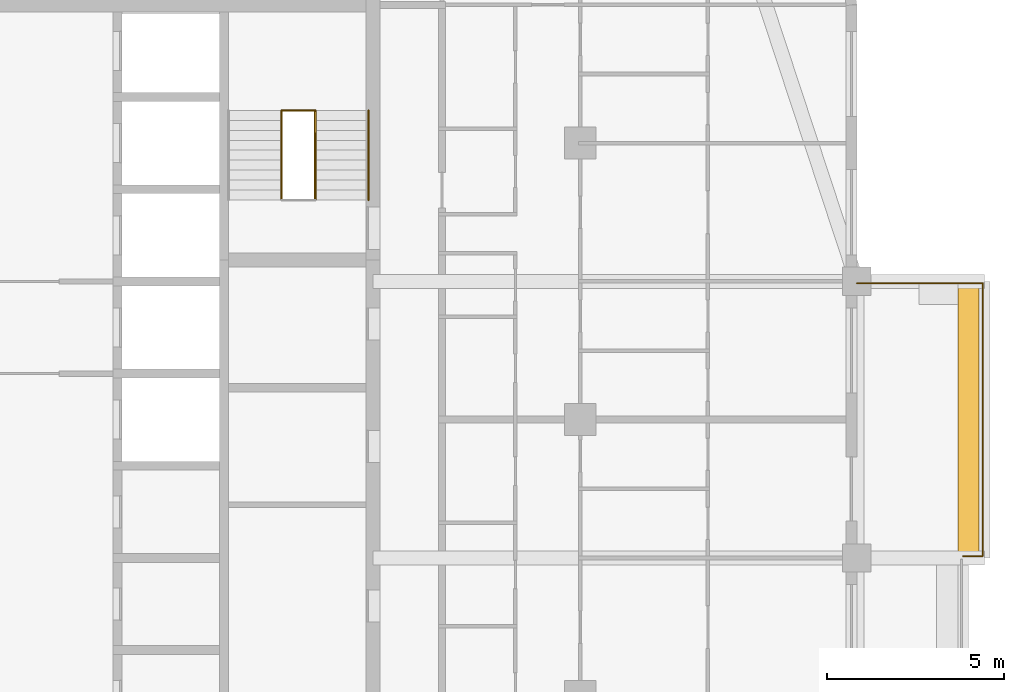
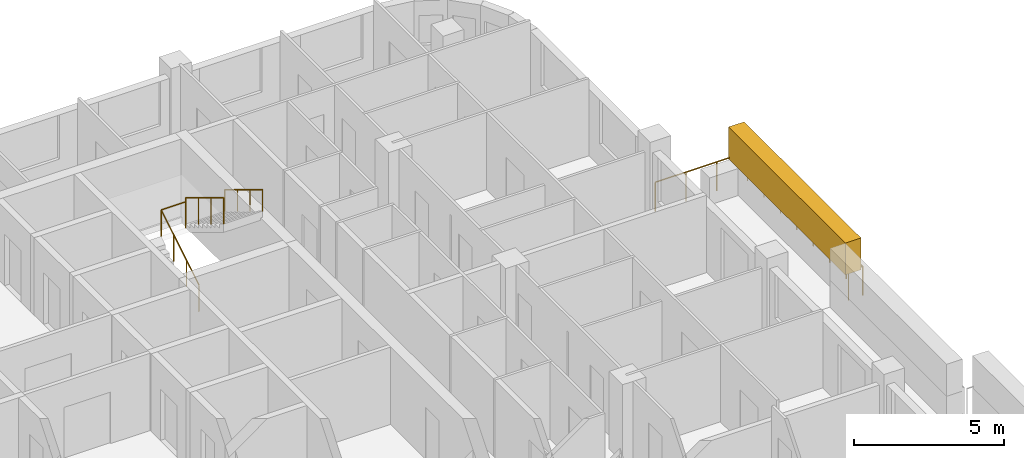
# One storey, part 16 of 17: 5 railings, 1 covering, 1 element without a shape of its own.
"""IFC4 building model written with IfcOpenShell, lengths in metres."""

from ifc_helpers import new_model, si_unit, direction, frame, origin, origin_2d, place, context, subcontext, project, spatial, rectangle, circle, extrude, material, layer, layer_set, type_object, element, aggregate, save


model = new_model("IFC4")

# Units and contexts
model_context = context("Model", 3, precision=1e-05, world=origin(), true_north=direction((0.0, 1.0)))
body_context = subcontext(model_context, "Body", "Model", "MODEL_VIEW")
ifc_project = project(units=[si_unit("LENGTHUNIT", "METRE"), si_unit("AREAUNIT", "SQUARE_METRE"), si_unit("VOLUMEUNIT", "CUBIC_METRE"), si_unit("PLANEANGLEUNIT", "RADIAN"), si_unit("MASSUNIT", "GRAM", prefix="KILO")], contexts=[model_context])

# Site, building, storey
site_placement = place(None, origin())
site = spatial("IfcSite", under=ifc_project, at=site_placement, CompositionType="ELEMENT")
building_placement = place(site_placement, origin())
building = spatial("IfcBuilding", under=site, at=building_placement, Name="Ludao Terraces", CompositionType="ELEMENT")
storey_placement = place(building_placement, frame((0.0, 0.0, 210.89990234375)))
storey = spatial("IfcBuildingStorey", under=building, at=storey_placement, Name="L57", CompositionType="ELEMENT", Elevation=210.89990234375)

# Railing
ifc_material_1 = material(Name="Stainless steel 304", Category="steel")
railing_type_1 = type_object("IfcRailingType", Name="ENV Balcony glass guard 1200", PredefinedType="GUARDRAIL", material=ifc_material_1)
railing_1_placement = place(storey_placement, frame((111.39990234375, 68.949951171875, 0.0)))
element("IfcRailing", 1, at=railing_1_placement, inside=storey, type_object=railing_type_1, Name="Balcony guard L57 E3", PredefinedType="GUARDRAIL", context=body_context, shape_type="SweptSolid", body=[
    extrude(circle(Radius=0.02392578125, at=origin_2d()), frame((0.0, 0.0, 1.17578125), z_axis=(1.0, 0.0, 0.0), x_axis=(0.0, 1.0, 0.0)), (0.0, 0.0, 1.0), 0.550048828125),
    extrude(circle(Radius=0.02392578125, at=origin_2d()), frame((0.550048828125, 0.0, 1.17578125), z_axis=(0.0, 1.0, 0.0), x_axis=(-1.0, 0.0, 0.0)), (0.0, 0.0, 1.0), 7.699951171875),
    extrude(circle(Radius=0.02392578125, at=origin_2d()), frame((0.550048828125, 7.699951171875, 1.17578125), z_axis=(-1.0, 0.0, 0.0), x_axis=(0.0, -1.0, 0.0)), (0.0, 0.0, 1.0), 3.550048828125),
    extrude(circle(Radius=0.02099609375, at=origin_2d()), origin(), (0.0, 0.0, 1.0), 1.15185546875),
    extrude(circle(Radius=0.02099609375, at=origin_2d()), frame((0.550048828125, 0.0, 0.0)), (0.0, 0.0, 1.0), 1.15185546875),
    extrude(circle(Radius=0.02099609375, at=origin_2d()), frame((0.550048828125, 1.10009765625, 0.0)), (0.0, 0.0, 1.0), 1.15185546875),
    extrude(circle(Radius=0.02099609375, at=origin_2d()), frame((0.550048828125, 2.199951171875, 0.0)), (0.0, 0.0, 1.0), 1.15185546875),
    extrude(circle(Radius=0.02099609375, at=origin_2d()), frame((0.550048828125, 3.300048828125, 0.0)), (0.0, 0.0, 1.0), 1.15185546875),
    extrude(circle(Radius=0.02099609375, at=origin_2d()), frame((0.550048828125, 4.39990234375, 0.0)), (0.0, 0.0, 1.0), 1.15185546875),
    extrude(circle(Radius=0.02099609375, at=origin_2d()), frame((0.550048828125, 5.5, 0.0)), (0.0, 0.0, 1.0), 1.15185546875),
    extrude(circle(Radius=0.02099609375, at=origin_2d()), frame((0.550048828125, 6.599853515625, 0.0)), (0.0, 0.0, 1.0), 1.15185546875),
    extrude(circle(Radius=0.02099609375, at=origin_2d()), frame((0.550048828125, 7.699951171875, 0.0)), (0.0, 0.0, 1.0), 1.15185546875),
    extrude(circle(Radius=0.02099609375, at=origin_2d()), frame((-0.63330078125, 7.699951171875, 0.0)), (0.0, 0.0, 1.0), 1.15185546875),
    extrude(circle(Radius=0.02099609375, at=origin_2d()), frame((-1.816650390625, 7.699951171875, 0.0)), (0.0, 0.0, 1.0), 1.15185546875),
    extrude(circle(Radius=0.02099609375, at=origin_2d()), frame((-3.0, 7.699951171875, 0.0)), (0.0, 0.0, 1.0), 1.15185546875),
])

# Covering
ifc_material_2 = material(Name="Planting")
ifc_layer = layer(ifc_material_2, 0.60009765625)
ifc_layer_set = layer_set([ifc_layer], Name="ENV Planting hedge 600x1300")
covering_type = type_object("IfcCoveringType", Name="ENV Planting hedge 600x1300", PredefinedType="USERDEFINED", material=ifc_layer_set)
covering_placement = place(storey_placement, frame((111.550048828125, 72.800048828125, 1.10009765625), z_axis=(0.0, 0.0, 1.0), x_axis=(1.0, 0.0, 0.0)))
element("IfcCovering", 2, at=covering_placement, inside=storey, type_object=covering_type, Name="Planting hedge L57-E3", ObjectType="PLANTING", PredefinedType="USERDEFINED", context=body_context, shape_type="SweptSolid", body=[
    extrude(rectangle(XDim=0.60009765625, YDim=7.800048828125, at=origin_2d()), origin(), (0.0, 0.0, 1.0), 1.300048828125),
])

# Stair, railings
ifc_material_3 = material(Name="Concrete C40", Category="concrete")
stair_type = type_object("IfcStairType", Name="INT Stair", PredefinedType="HALF_TURN_STAIR", material=ifc_material_3)
stair_placement = place(storey_placement, origin())
stair = element("IfcStair", 3, at=stair_placement, inside=storey, type_object=stair_type, Name="EXIT STAIR 2", PredefinedType="HALF_TURN_STAIR")
railing_type_2 = type_object("IfcRailingType", Name="INT Stair guard 1100", PredefinedType="GUARDRAIL", material=ifc_material_1)
railing_2_placement = place(storey_placement, frame((92.175048828125, 79.0, 0.170166015625)))
railing_2 = element("IfcRailing", 4, at=railing_2_placement, type_object=railing_type_2, Name="ST-L57-S2-R1G", PredefinedType="GUARDRAIL", context=body_context, shape_type="SweptSolid", body=[
    extrude(circle(Radius=0.02392578125, at=origin_2d()), frame((0.0, 0.0, 1.076171875), z_axis=(0.0, 0.85478489116, 0.518982456201), x_axis=(-1.0, 0.0, 0.0)), (0.0, 0.0, 1.0), 2.9482421875),
    extrude(circle(Radius=0.02099609375, at=origin_2d()), origin(), (0.0, 0.0, 1.0), 1.052001953125),
    extrude(circle(Radius=0.02099609375, at=origin_2d()), frame((0.0, 0.840087890625, 0.510009765625)), (0.0, 0.0, 1.0), 1.052001953125),
    extrude(circle(Radius=0.02099609375, at=origin_2d()), frame((0.0, 1.679931640625, 1.02001953125)), (0.0, 0.0, 1.0), 1.052001953125),
    extrude(circle(Radius=0.02099609375, at=origin_2d()), frame((0.0, 2.52001953125, 1.530029296875)), (0.0, 0.0, 1.0), 1.052001953125),
])
railing_3_placement = place(storey_placement, frame((93.125, 81.52001953125, 1.8701171875)))
railing_3 = element("IfcRailing", 5, at=railing_3_placement, type_object=railing_type_2, Name="ST-L57-S2-R2G", PredefinedType="GUARDRAIL", context=body_context, shape_type="SweptSolid", body=[
    extrude(circle(Radius=0.02392578125, at=origin_2d()), frame((0.0, 0.0, 1.076171875), z_axis=(0.0, -0.85478489116, 0.518982456201), x_axis=(1.0, 0.0, 0.0)), (0.0, 0.0, 1.0), 2.9482421875),
    extrude(circle(Radius=0.02099609375, at=origin_2d()), origin(), (0.0, 0.0, 1.0), 1.052001953125),
    extrude(circle(Radius=0.02099609375, at=origin_2d()), frame((0.0, -0.840087890625, 0.510009765625)), (0.0, 0.0, 1.0), 1.052001953125),
    extrude(circle(Radius=0.02099609375, at=origin_2d()), frame((0.0, -1.679931640625, 1.02001953125)), (0.0, 0.0, 1.0), 1.052001953125),
    extrude(circle(Radius=0.02099609375, at=origin_2d()), frame((0.0, -2.52001953125, 1.530029296875)), (0.0, 0.0, 1.0), 1.052001953125),
])
railing_4_placement = place(storey_placement, frame((92.175048828125, 81.52001953125, 1.7001953125)))
railing_4 = element("IfcRailing", 6, at=railing_4_placement, type_object=railing_type_2, Name="ST-L57-S2-E1G", PredefinedType="GUARDRAIL", context=body_context, shape_type="SweptSolid", body=[
    extrude(circle(Radius=0.02392578125, at=origin_2d()), frame((0.0, 0.0, 1.076171875), z_axis=(1.0, 0.0, 0.0), x_axis=(0.0, 1.0, 0.0)), (0.0, 0.0, 1.0), 0.949951171875),
    extrude(circle(Radius=0.02099609375, at=origin_2d()), origin(), (0.0, 0.0, 1.0), 1.052001953125),
    extrude(circle(Radius=0.02099609375, at=origin_2d()), frame((0.949951171875, 0.0, 0.0)), (0.0, 0.0, 1.0), 1.052001953125),
])
railing_type_3 = type_object("IfcRailingType", Name="INT Stair handrail 900", PredefinedType="HANDRAIL", material=ifc_material_1)
railing_5_placement = place(storey_placement, frame((94.625, 81.52001953125, 1.8701171875)))
railing_5 = element("IfcRailing", 7, at=railing_5_placement, type_object=railing_type_3, Name="ST-L57-S2-R2H", PredefinedType="HANDRAIL", context=body_context, shape_type="SweptSolid", body=[
    extrude(circle(Radius=0.02392578125, at=origin_2d()), frame((0.0, 0.0, 0.8759765625), z_axis=(0.0, -0.85478489116, 0.518982456201), x_axis=(1.0, 0.0, 0.0)), (0.0, 0.0, 1.0), 2.9482421875),
    extrude(circle(Radius=0.02099609375, at=origin_2d()), origin(), (0.0, 0.0, 1.0), 0.851806640625),
    extrude(circle(Radius=0.02099609375, at=origin_2d()), frame((0.0, -0.840087890625, 0.510009765625)), (0.0, 0.0, 1.0), 0.851806640625),
    extrude(circle(Radius=0.02099609375, at=origin_2d()), frame((0.0, -1.679931640625, 1.02001953125)), (0.0, 0.0, 1.0), 0.851806640625),
    extrude(circle(Radius=0.02099609375, at=origin_2d()), frame((0.0, -2.52001953125, 1.530029296875)), (0.0, 0.0, 1.0), 0.851806640625),
])
aggregate(stair, [railing_2, railing_3, railing_5, railing_4])

save(model, "model.ifc")
